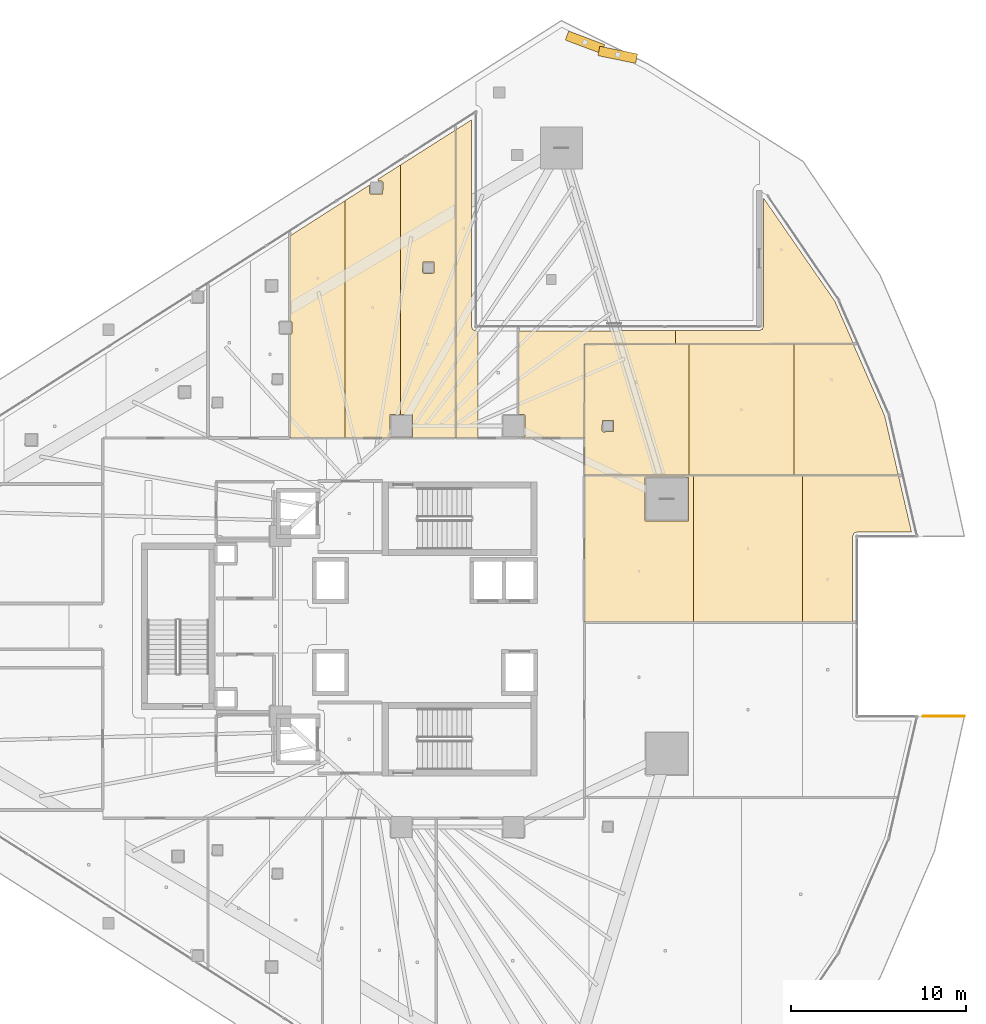
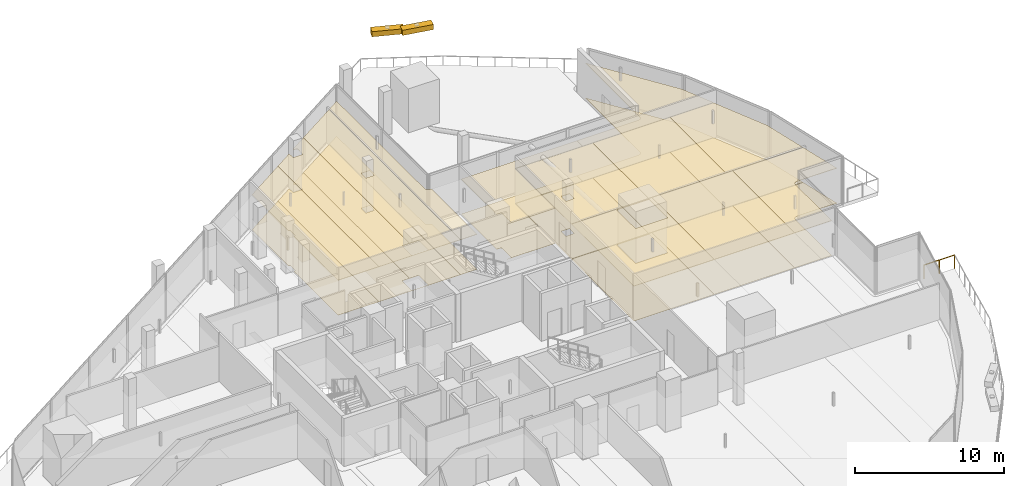
# One storey, part 47 of 47: 24 coverings, 2 shading devices, 1 railing.
"""IFC4 building model written with IfcOpenShell, lengths in metres."""

from ifc_helpers import new_model, si_unit, direction, frame, origin, origin_2d, place, context, subcontext, project, spatial, polyline, rectangle, circle, outline, extrude, material, layer, layer_set, type_object, element, save


model = new_model("IFC4")

# Units and contexts
model_context = context("Model", 3, precision=1e-05, world=origin(), true_north=direction((0.0, 1.0)))
body_context = subcontext(model_context, "Body", "Model", "MODEL_VIEW")
ifc_project = project(units=[si_unit("LENGTHUNIT", "METRE"), si_unit("AREAUNIT", "SQUARE_METRE"), si_unit("VOLUMEUNIT", "CUBIC_METRE"), si_unit("PLANEANGLEUNIT", "RADIAN"), si_unit("MASSUNIT", "GRAM", prefix="KILO")], contexts=[model_context])

# Site, building, storey
site_placement = place(None, origin())
site = spatial("IfcSite", under=ifc_project, at=site_placement, CompositionType="ELEMENT")
building_placement = place(site_placement, origin())
building = spatial("IfcBuilding", under=site, at=building_placement, Name="Qorvath Tower", CompositionType="ELEMENT")
storey_placement = place(building_placement, frame((0.0, 0.0, 82.800048828125)))
storey = spatial("IfcBuildingStorey", under=building, at=storey_placement, Name="L18", CompositionType="ELEMENT", Elevation=82.800048828125)

# Coverings
ifc_material_1 = material(Name="Acoustic mineral fibre ceiling tile", Category="gypsum")
ifc_layer_1 = layer(ifc_material_1, 0.030029296875)
ifc_layer_set_1 = layer_set([ifc_layer_1], Name="COV-CEIL")
covering_type_1 = type_object("IfcCoveringType", Name="COV-CEIL", PredefinedType="CEILING", material=ifc_layer_set_1)
covering_1_placement = place(storey_placement, frame((0.0, 0.0, 2.849853515625)))
element("IfcCovering", 1, at=covering_1_placement, inside=storey, type_object=covering_type_1, Name="L18 Suspended Acoustic Ceiling 012", PredefinedType="CEILING", context=body_context, shape_type="SweptSolid", body=[
    extrude(outline(polyline([(-26.81201171875, 10.762939453125), (-26.81201171875, 24.32421875), (-29.9658203125, 22.308349609375), (-29.9658203125, 17.444580078125), (-29.83984375, 17.384521484375), (-29.83984375, 16.734619140625), (-29.9658203125, 16.674560546875), (-29.9658203125, 10.762939453125), (-26.81201171875, 10.762939453125)])), origin(), (0.0, 0.0, 1.0), 0.030029296875),
])
covering_2_placement = place(storey_placement, frame((0.0, 0.0, 2.849853515625)))
element("IfcCovering", 2, at=covering_2_placement, inside=storey, type_object=covering_type_1, Name="L18 Suspended Acoustic Ceiling 013", PredefinedType="CEILING", context=body_context, shape_type="SweptSolid", body=[
    extrude(outline(polyline([(-23.658203125, 10.762939453125), (-23.658203125, 10.797607421875), (-24.199951171875, 10.7900390625), (-24.260009765625, 10.85009765625), (-24.242431640625, 12.092529296875), (-23.658203125, 12.092529296875), (-23.658203125, 26.357421875), (-24.92578125, 25.553466796875), (-24.92578125, 25.44384765625), (-24.712646484375, 25.44384765625), (-24.652587890625, 25.3837890625), (-24.670166015625, 24.69140625), (-25.405029296875, 24.69140625), (-25.422607421875, 25.212158203125), (-26.81201171875, 24.32421875), (-26.81201171875, 10.762939453125), (-23.658203125, 10.762939453125)])), origin(), (0.0, 0.0, 1.0), 0.030029296875),
])
covering_3_placement = place(storey_placement, frame((0.0, 0.0, 2.849853515625)))
element("IfcCovering", 3, at=covering_3_placement, inside=storey, type_object=covering_type_1, Name="L18 Suspended Acoustic Ceiling 014", PredefinedType="CEILING", context=body_context, shape_type="SweptSolid", body=[
    extrude(outline(polyline([(-20.508544921875, 28.35546875), (-23.658203125, 26.357421875), (-23.658203125, 12.092529296875), (-22.95751953125, 12.092529296875), (-22.95751953125, 10.8076171875), (-23.658203125, 10.797607421875), (-23.658203125, 10.762939453125), (-20.504150390625, 10.762939453125), (-20.508544921875, 28.35546875)]), holes=[polyline([(-22.38818359375, 20.219970703125), (-22.37060546875, 20.812255859375), (-21.73583984375, 20.812255859375), (-21.73583984375, 20.177490234375), (-22.328125, 20.159912109375), (-22.38818359375, 20.219970703125)])]), origin(), (0.0, 0.0, 1.0), 0.030029296875),
])
covering_4_placement = place(storey_placement, frame((0.0, 0.0, 2.849853515625)))
element("IfcCovering", 4, at=covering_4_placement, inside=storey, type_object=covering_type_1, Name="L18 Suspended Acoustic Ceiling 015", PredefinedType="CEILING", context=body_context, shape_type="SweptSolid", body=[
    extrude(outline(polyline([(-19.517333984375, 16.95703125), (-19.58984375, 17.111572265625), (-19.591064453125, 28.939208984375), (-20.49072265625, 28.3642578125), (-20.486328125, 10.762939453125), (-19.20947265625, 10.762939453125), (-19.20947265625, 16.882080078125), (-19.360595703125, 16.88232421875), (-19.517333984375, 16.95703125)])), origin(), (0.0, 0.0, 1.0), 0.030029296875),
])
covering_5_placement = place(storey_placement, frame((0.0, 0.0, 2.849853515625)))
element("IfcCovering", 5, at=covering_5_placement, inside=storey, type_object=covering_type_1, Name="L18 Suspended Acoustic Ceiling 017", PredefinedType="CEILING", context=body_context, shape_type="SweptSolid", body=[
    extrude(outline(polyline([(-7.94921875, 16.136474609375), (-7.94921875, 16.89404296875), (-16.90576171875, 16.881103515625), (-16.90576171875, 12.110107421875), (-16.60009765625, 12.110107421875), (-16.5400390625, 12.050048828125), (-16.5400390625, 10.85009765625), (-16.60009765625, 10.7900390625), (-16.90576171875, 10.762939453125), (-13.155029296875, 10.762939453125), (-13.14990234375, 16.127197265625), (-7.94921875, 16.136474609375)])), origin(), (0.0, 0.0, 1.0), 0.030029296875),
])
covering_6_placement = place(storey_placement, frame((0.0, 0.0, 2.849853515625)))
element("IfcCovering", 6, at=covering_6_placement, inside=storey, type_object=covering_type_1, Name="L18 Suspended Acoustic Ceiling 018", PredefinedType="CEILING", context=body_context, shape_type="SweptSolid", body=[
    extrude(outline(polyline([(-3.152587890625, 16.90087890625), (-7.94921875, 16.89404296875), (-7.94921875, 16.136474609375), (2.2255859375, 16.155029296875), (1.166259765625, 18.572021484375), (-2.90673828125, 24.46435546875), (-2.9169921875, 17.136962890625), (-2.98486328125, 16.971435546875), (-3.152587890625, 16.90087890625)])), origin(), (0.0, 0.0, 1.0), 0.030029296875),
])
covering_7_placement = place(storey_placement, frame((0.0, 0.0, 2.849853515625)))
element("IfcCovering", 7, at=covering_7_placement, inside=storey, type_object=covering_type_1, Name="L18 Suspended Acoustic Ceiling 030", PredefinedType="CEILING", context=body_context, shape_type="SweptSolid", body=[
    extrude(outline(polyline([(-6.9111328125, 0.25390625), (-6.9111328125, 8.615966796875), (-13.136962890625, 8.615966796875), (-13.136962890625, 0.25390625), (-6.9111328125, 0.25390625)]), holes=[polyline([(-9.690185546875, 8.476318359375), (-9.63037109375, 8.536376953125), (-7.18798828125, 8.518798828125), (-7.18798828125, 6.033935546875), (-9.672607421875, 6.033935546875), (-9.690185546875, 8.476318359375)])]), origin(), (0.0, 0.0, 1.0), 0.030029296875),
])
covering_8_placement = place(storey_placement, frame((0.0, 0.0, 2.849853515625)))
element("IfcCovering", 8, at=covering_8_placement, inside=storey, type_object=covering_type_1, Name="L18 Suspended Acoustic Ceiling 031", PredefinedType="CEILING", context=body_context, shape_type="SweptSolid", body=[
    extrude(outline(polyline([(-0.685302734375, 0.25390625), (-0.685302734375, 8.615966796875), (-6.9111328125, 8.615966796875), (-6.9111328125, 0.25390625), (-0.685302734375, 0.25390625)])), origin(), (0.0, 0.0, 1.0), 0.030029296875),
])
covering_9_placement = place(storey_placement, frame((0.0, 0.0, 2.849853515625)))
element("IfcCovering", 9, at=covering_9_placement, inside=storey, type_object=covering_type_1, Name="L18 Suspended Acoustic Ceiling 032", PredefinedType="CEILING", context=body_context, shape_type="SweptSolid", body=[
    extrude(outline(polyline([(2.25537109375, 5.322265625), (2.43408203125, 5.395751953125), (5.540771484375, 5.395751953125), (4.79736328125, 8.615966796875), (-0.685302734375, 8.615966796875), (-0.685302734375, 0.25390625), (2.17919921875, 0.25390625), (2.17919921875, 5.140869140625), (2.25537109375, 5.322265625)])), origin(), (0.0, 0.0, 1.0), 0.030029296875),
])
covering_10_placement = place(storey_placement, frame((0.0, 0.0, 2.849853515625)))
element("IfcCovering", 10, at=covering_10_placement, inside=storey, type_object=covering_type_1, Name="L18 Suspended Acoustic Ceiling 033", PredefinedType="CEILING", context=body_context, shape_type="SweptSolid", body=[
    extrude(outline(polyline([(-13.136962890625, 8.634033203125), (-7.16015625, 8.634033203125), (-7.16015625, 16.1201171875), (-13.136962890625, 16.109130859375), (-13.136962890625, 8.634033203125)]), holes=[polyline([(-12.135009765625, 11.175048828125), (-12.117431640625, 11.767333984375), (-11.482666015625, 11.767333984375), (-11.482666015625, 11.132568359375), (-12.074951171875, 11.114990234375), (-12.135009765625, 11.175048828125)])]), origin(), (0.0, 0.0, 1.0), 0.030029296875),
])
covering_11_placement = place(storey_placement, frame((0.0, 0.0, 2.849853515625)))
element("IfcCovering", 11, at=covering_11_placement, inside=storey, type_object=covering_type_1, Name="L18 Suspended Acoustic Ceiling 034", PredefinedType="CEILING", context=body_context, shape_type="SweptSolid", body=[
    extrude(outline(polyline([(-7.16015625, 16.1201171875), (-7.16015625, 8.634033203125), (-1.18359375, 8.634033203125), (-1.18359375, 16.130859375), (-7.16015625, 16.1201171875)])), origin(), (0.0, 0.0, 1.0), 0.030029296875),
])
covering_12_placement = place(storey_placement, frame((0.0, 0.0, 2.849853515625)))
element("IfcCovering", 12, at=covering_12_placement, inside=storey, type_object=covering_type_1, Name="L18 Suspended Acoustic Ceiling 035", PredefinedType="CEILING", context=body_context, shape_type="SweptSolid", body=[
    extrude(outline(polyline([(-1.18359375, 16.130859375), (-1.18359375, 8.634033203125), (4.793212890625, 8.634033203125), (4.00634765625, 12.042724609375), (2.211669921875, 16.136962890625), (-1.18359375, 16.130859375)])), origin(), (0.0, 0.0, 1.0), 0.030029296875),
])
ifc_material_2 = material(Name="Low-VOC modular carpet tile", Category="textile")
ifc_layer_2 = layer(ifc_material_2, 0.014892578125)
ifc_layer_set_2 = layer_set([ifc_layer_2], Name="COV-FLOOR-CPT")
covering_type_2 = type_object("IfcCoveringType", Name="COV-FLOOR-CPT", PredefinedType="FLOORING", material=ifc_layer_set_2)
covering_13_placement = place(storey_placement, origin())
element("IfcCovering", 13, at=covering_13_placement, inside=storey, type_object=covering_type_2, Name="L18 Floor Finish 012", PredefinedType="FLOORING", context=body_context, shape_type="SweptSolid", body=[
    extrude(outline(polyline([(-26.81201171875, 10.762939453125), (-26.81201171875, 24.32421875), (-29.9658203125, 22.308349609375), (-29.9658203125, 17.444580078125), (-29.83984375, 17.384521484375), (-29.83984375, 16.734619140625), (-29.9658203125, 16.674560546875), (-29.9658203125, 10.762939453125), (-26.81201171875, 10.762939453125)])), origin(), (0.0, 0.0, 1.0), 0.014892578125),
])
covering_14_placement = place(storey_placement, origin())
element("IfcCovering", 14, at=covering_14_placement, inside=storey, type_object=covering_type_2, Name="L18 Floor Finish 013", PredefinedType="FLOORING", context=body_context, shape_type="SweptSolid", body=[
    extrude(outline(polyline([(-23.658203125, 10.762939453125), (-23.658203125, 10.797607421875), (-24.199951171875, 10.7900390625), (-24.260009765625, 10.85009765625), (-24.242431640625, 12.092529296875), (-23.658203125, 12.092529296875), (-23.658203125, 26.357421875), (-24.92578125, 25.553466796875), (-24.92578125, 25.44384765625), (-24.712646484375, 25.44384765625), (-24.652587890625, 25.3837890625), (-24.670166015625, 24.69140625), (-25.405029296875, 24.69140625), (-25.422607421875, 25.212158203125), (-26.81201171875, 24.32421875), (-26.81201171875, 10.762939453125), (-23.658203125, 10.762939453125)])), origin(), (0.0, 0.0, 1.0), 0.014892578125),
])
covering_15_placement = place(storey_placement, origin())
element("IfcCovering", 15, at=covering_15_placement, inside=storey, type_object=covering_type_2, Name="L18 Floor Finish 014", PredefinedType="FLOORING", context=body_context, shape_type="SweptSolid", body=[
    extrude(outline(polyline([(-20.508544921875, 28.35546875), (-23.658203125, 26.357421875), (-23.658203125, 12.092529296875), (-22.95751953125, 12.092529296875), (-22.95751953125, 10.8076171875), (-23.658203125, 10.797607421875), (-23.658203125, 10.762939453125), (-20.504150390625, 10.762939453125), (-20.508544921875, 28.35546875)]), holes=[polyline([(-22.38818359375, 20.219970703125), (-22.37060546875, 20.812255859375), (-21.73583984375, 20.812255859375), (-21.73583984375, 20.177490234375), (-22.328125, 20.159912109375), (-22.38818359375, 20.219970703125)])]), origin(), (0.0, 0.0, 1.0), 0.014892578125),
])
covering_16_placement = place(storey_placement, origin())
element("IfcCovering", 16, at=covering_16_placement, inside=storey, type_object=covering_type_2, Name="L18 Floor Finish 015", PredefinedType="FLOORING", context=body_context, shape_type="SweptSolid", body=[
    extrude(outline(polyline([(-19.517333984375, 16.95703125), (-19.58984375, 17.111572265625), (-19.591064453125, 28.939208984375), (-20.49072265625, 28.3642578125), (-20.486328125, 10.762939453125), (-19.20947265625, 10.762939453125), (-19.20947265625, 16.882080078125), (-19.360595703125, 16.88232421875), (-19.517333984375, 16.95703125)])), origin(), (0.0, 0.0, 1.0), 0.014892578125),
])
covering_17_placement = place(storey_placement, origin())
element("IfcCovering", 17, at=covering_17_placement, inside=storey, type_object=covering_type_2, Name="L18 Floor Finish 017", PredefinedType="FLOORING", context=body_context, shape_type="SweptSolid", body=[
    extrude(outline(polyline([(-7.94921875, 16.136474609375), (-7.94921875, 16.89404296875), (-16.90576171875, 16.881103515625), (-16.90576171875, 12.110107421875), (-16.60009765625, 12.110107421875), (-16.5400390625, 12.050048828125), (-16.5400390625, 10.85009765625), (-16.60009765625, 10.7900390625), (-16.90576171875, 10.762939453125), (-13.155029296875, 10.762939453125), (-13.14990234375, 16.127197265625), (-7.94921875, 16.136474609375)])), origin(), (0.0, 0.0, 1.0), 0.014892578125),
])
covering_18_placement = place(storey_placement, origin())
element("IfcCovering", 18, at=covering_18_placement, inside=storey, type_object=covering_type_2, Name="L18 Floor Finish 018", PredefinedType="FLOORING", context=body_context, shape_type="SweptSolid", body=[
    extrude(outline(polyline([(-3.152587890625, 16.90087890625), (-7.94921875, 16.89404296875), (-7.94921875, 16.136474609375), (2.2255859375, 16.155029296875), (1.166259765625, 18.572021484375), (-2.90673828125, 24.46435546875), (-2.9169921875, 17.136962890625), (-2.98486328125, 16.971435546875), (-3.152587890625, 16.90087890625)])), origin(), (0.0, 0.0, 1.0), 0.014892578125),
])
covering_19_placement = place(storey_placement, origin())
element("IfcCovering", 19, at=covering_19_placement, inside=storey, type_object=covering_type_2, Name="L18 Floor Finish 030", PredefinedType="FLOORING", context=body_context, shape_type="SweptSolid", body=[
    extrude(outline(polyline([(-6.9111328125, 0.25390625), (-6.9111328125, 8.615966796875), (-13.136962890625, 8.615966796875), (-13.136962890625, 0.25390625), (-6.9111328125, 0.25390625)]), holes=[polyline([(-9.690185546875, 8.476318359375), (-9.63037109375, 8.536376953125), (-7.18798828125, 8.518798828125), (-7.18798828125, 6.033935546875), (-9.672607421875, 6.033935546875), (-9.690185546875, 8.476318359375)])]), origin(), (0.0, 0.0, 1.0), 0.014892578125),
])
covering_20_placement = place(storey_placement, origin())
element("IfcCovering", 20, at=covering_20_placement, inside=storey, type_object=covering_type_2, Name="L18 Floor Finish 031", PredefinedType="FLOORING", context=body_context, shape_type="SweptSolid", body=[
    extrude(outline(polyline([(-0.685302734375, 0.25390625), (-0.685302734375, 8.615966796875), (-6.9111328125, 8.615966796875), (-6.9111328125, 0.25390625), (-0.685302734375, 0.25390625)])), origin(), (0.0, 0.0, 1.0), 0.014892578125),
])
covering_21_placement = place(storey_placement, origin())
element("IfcCovering", 21, at=covering_21_placement, inside=storey, type_object=covering_type_2, Name="L18 Floor Finish 032", PredefinedType="FLOORING", context=body_context, shape_type="SweptSolid", body=[
    extrude(outline(polyline([(2.25537109375, 5.322265625), (2.43408203125, 5.395751953125), (5.540771484375, 5.395751953125), (4.79736328125, 8.615966796875), (-0.685302734375, 8.615966796875), (-0.685302734375, 0.25390625), (2.17919921875, 0.25390625), (2.17919921875, 5.140869140625), (2.25537109375, 5.322265625)])), origin(), (0.0, 0.0, 1.0), 0.014892578125),
])
covering_22_placement = place(storey_placement, origin())
element("IfcCovering", 22, at=covering_22_placement, inside=storey, type_object=covering_type_2, Name="L18 Floor Finish 033", PredefinedType="FLOORING", context=body_context, shape_type="SweptSolid", body=[
    extrude(outline(polyline([(-13.136962890625, 8.634033203125), (-7.16015625, 8.634033203125), (-7.16015625, 16.1201171875), (-13.136962890625, 16.109130859375), (-13.136962890625, 8.634033203125)]), holes=[polyline([(-12.135009765625, 11.175048828125), (-12.117431640625, 11.767333984375), (-11.482666015625, 11.767333984375), (-11.482666015625, 11.132568359375), (-12.074951171875, 11.114990234375), (-12.135009765625, 11.175048828125)])]), origin(), (0.0, 0.0, 1.0), 0.014892578125),
])
covering_23_placement = place(storey_placement, origin())
element("IfcCovering", 23, at=covering_23_placement, inside=storey, type_object=covering_type_2, Name="L18 Floor Finish 034", PredefinedType="FLOORING", context=body_context, shape_type="SweptSolid", body=[
    extrude(outline(polyline([(-7.16015625, 16.1201171875), (-7.16015625, 8.634033203125), (-1.18359375, 8.634033203125), (-1.18359375, 16.130859375), (-7.16015625, 16.1201171875)])), origin(), (0.0, 0.0, 1.0), 0.014892578125),
])
covering_24_placement = place(storey_placement, origin())
element("IfcCovering", 24, at=covering_24_placement, inside=storey, type_object=covering_type_2, Name="L18 Floor Finish 035", PredefinedType="FLOORING", context=body_context, shape_type="SweptSolid", body=[
    extrude(outline(polyline([(-1.18359375, 16.130859375), (-1.18359375, 8.634033203125), (4.793212890625, 8.634033203125), (4.00634765625, 12.042724609375), (2.211669921875, 16.136962890625), (-1.18359375, 16.130859375)])), origin(), (0.0, 0.0, 1.0), 0.014892578125),
])

# Railing
ifc_material_3 = material(Name="Laminated safety glass and stainless steel AISI 316", Category="steel")
railing_type = type_object("IfcRailingType", Name="RL-EXT-GRD", PredefinedType="GUARDRAIL", material=ifc_material_3)
railing_placement = place(storey_placement, frame((6.2109375, -5.140869140625, 0.0)))
element("IfcRailing", 25, at=railing_placement, inside=storey, type_object=railing_type, Name="Loggia Perimeter Guardrail L18-1.2", PredefinedType="GUARDRAIL", context=body_context, shape_type="SweptSolid", body=[
    extrude(circle(Radius=0.02392578125, at=origin_2d()), frame((0.0, 0.0, 1.09619140625), z_axis=(1.0, 0.0, 0.0), x_axis=(0.0, 1.0, 0.0)), (0.0, 0.0, 1.0), 2.366455078125),
    extrude(circle(Radius=0.02099609375, at=origin_2d()), origin(), (0.0, 0.0, 1.0), 1.072021484375),
    extrude(circle(Radius=0.02099609375, at=origin_2d()), frame((1.18310546875, 0.0, 0.0)), (0.0, 0.0, 1.0), 1.072021484375),
    extrude(circle(Radius=0.02099609375, at=origin_2d()), frame((2.366455078125, 0.0, 0.0)), (0.0, 0.0, 1.0), 1.072021484375),
])

# Shading devices
ifc_material_4 = material(Name="Anodised bronze-champagne aluminium", Category="aluminium")
shading_device_type = type_object("IfcShadingDeviceType", Name="SD-LOUVRE", PredefinedType="JALOUSIE", material=ifc_material_4)
for number, where, z_axis, x_axis, name in (
    (26, (-11.239501953125, 32.653564453125, 3.5), (0.0, 0.0, 1.0), (-0.979633115264, 0.200795815391, 0.0), "Sinusoidal Wave Louvre Blade L18-05"),
    (27, (-13.109375, 33.364990234375, 3.5), (0.0, 0.0, 1.0), (-0.935626517265, 0.352991529913, 0.0), "Sinusoidal Wave Louvre Blade L18-06"),
):
    element("IfcShadingDevice", number, at=place(storey_placement, frame(where, z_axis=z_axis, x_axis=x_axis)), inside=storey, type_object=shading_device_type, Name=name, PredefinedType="NOTDEFINED", context=body_context, shape_type="SweptSolid", body=[
        extrude(rectangle(XDim=2.199951171875, YDim=0.550048828125, at=origin_2d()), origin(), (0.0, 0.0, 1.0), 0.419921875),
    ])

save(model, "model.ifc")
